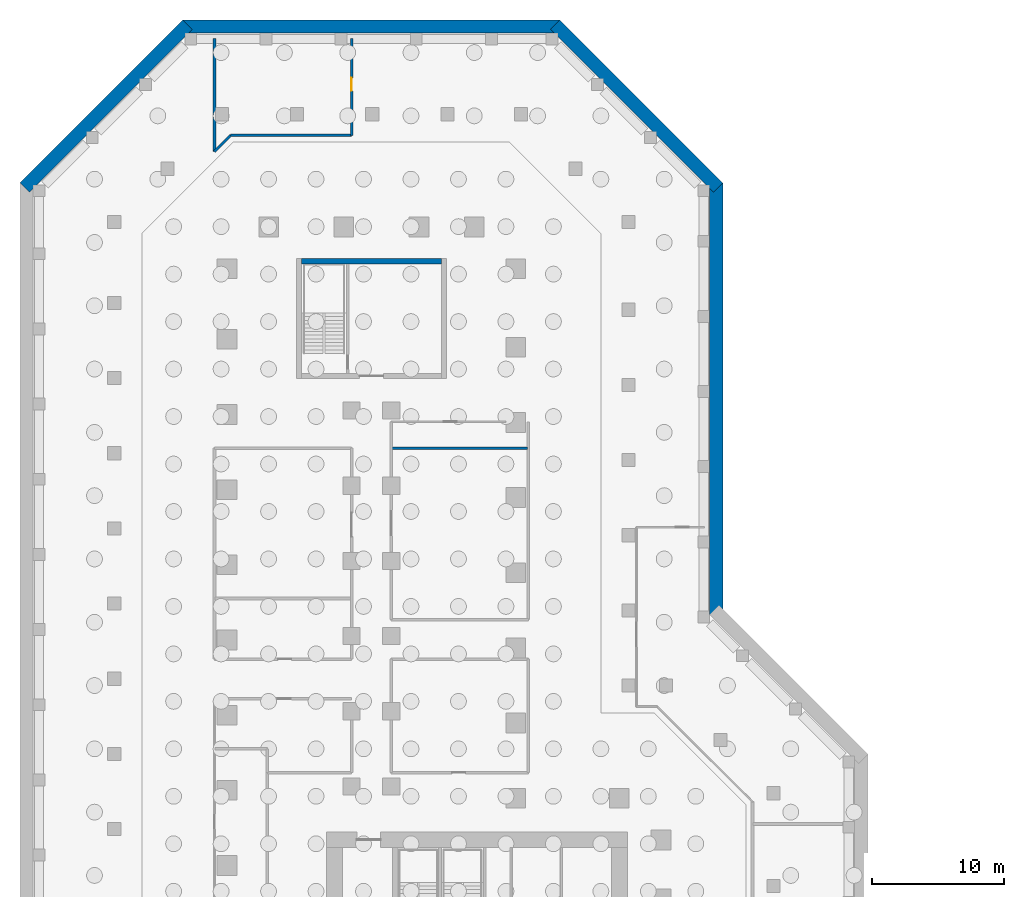
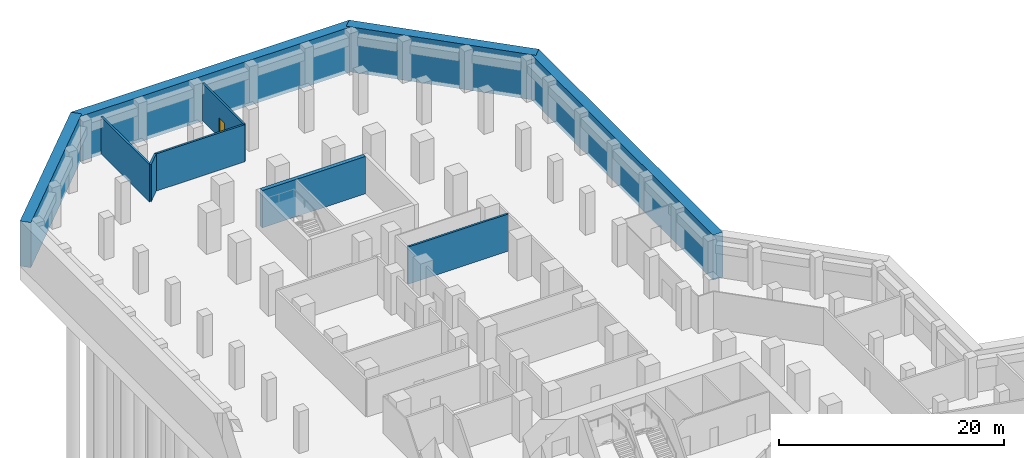
# One storey, part 12 of 15: 10 walls, 1 door, 1 opening.
"""IFC4 building model written with IfcOpenShell, lengths in metres."""

import ifcopenshell
import ifcopenshell.guid

model = None  # the IFC model being written
_history = None  # IfcOwnerHistory: only IFC2X3 demands one
_inside = {}  # id of a spatial element -> (the spatial element, [elements in it])
_under = {}  # id of a project, library or spatial element -> (it, [spatial elements below it])
_declared = {}  # id of a project -> (the project, [libraries it declares])
_typed = {}  # id of a type object -> (the type object, [elements of that type])
_made_of = {}  # id of a material, layer set ... -> (it, [elements and type objects made of it])


def new_model(schema):
    """Start an empty IFC model of exactly this schema.

    Asked for "IFC4X3", IfcOpenShell would pick the latest addendum, in which some entities
    have other attributes; the version numbers below select the first issue.
    IFC2X3 requires an IfcOwnerHistory on every rooted entity: one is made here for all.
    """
    global model, _history
    if schema == "IFC4X3":
        model = ifcopenshell.file(schema_version=(4, 3, 0, 0))
    else:
        model = ifcopenshell.file(schema=schema)
    _inside.clear()
    _under.clear()
    _declared.clear()
    _typed.clear()
    _made_of.clear()
    _history = None
    if model.schema == "IFC2X3":
        org = make("IfcOrganization", Name="unknown")
        user = make(
            "IfcPersonAndOrganization",
            ThePerson=make("IfcPerson", FamilyName="unknown"),
            TheOrganization=org,
        )
        app = make(
            "IfcApplication",
            ApplicationDeveloper=org,
            Version="unknown",
            ApplicationFullName="unknown",
            ApplicationIdentifier="unknown",
        )
        _history = make(
            "IfcOwnerHistory",
            OwningUser=user,
            OwningApplication=app,
            ChangeAction="ADDED",
            CreationDate=0,
        )
    return model


def make(cls, **values):
    """One entity of the class cls with the attributes given. An attribute that is None is left unset."""
    return model.create_entity(
        cls, **{name: value for name, value in values.items() if value is not None}
    )


def rooted(cls, **values):
    """An entity with a GlobalId (a new one), such as an element, a storey or a relation."""
    return make(cls, GlobalId=ifcopenshell.guid.new(), OwnerHistory=_history, **values)


def si_unit(unit_type, name, prefix=None):
    """IfcSIUnit, for example si_unit("LENGTHUNIT", "METRE", prefix="MILLI")."""
    return make("IfcSIUnit", UnitType=unit_type, Prefix=prefix, Name=name)


def assignment(units):
    """IfcUnitAssignment: the units of a project."""
    return None if units is None else make("IfcUnitAssignment", Units=units)


def point(xyz):
    """IfcCartesianPoint."""
    return None if xyz is None else make("IfcCartesianPoint", Coordinates=xyz)


def direction(xyz):
    """IfcDirection."""
    return None if xyz is None else make("IfcDirection", DirectionRatios=xyz)


def frame(location, z_axis=None, x_axis=None):
    """IfcAxis2Placement3D, a coordinate frame: its origin and axes. An axis left out is left unset."""
    return make(
        "IfcAxis2Placement3D",
        Location=point(location),
        Axis=direction(z_axis),
        RefDirection=direction(x_axis),
    )


def frame_2d(location, x_axis=None):
    """IfcAxis2Placement2D, a coordinate frame in the plane: its origin and x axis."""
    return make(
        "IfcAxis2Placement2D", Location=point(location), RefDirection=direction(x_axis)
    )


def origin():
    """The frame at (0, 0, 0) with its axes left unset."""
    return frame((0.0, 0.0, 0.0))


def place(relative_to, where):
    """IfcLocalPlacement: puts the frame where relative to a parent placement (None: the world)."""
    return make(
        "IfcLocalPlacement", PlacementRelTo=relative_to, RelativePlacement=where
    )


def context(
    kind, dimensions, precision=None, world=None, true_north=None, identifier=None
):
    """IfcGeometricRepresentationContext, for example the 3D "Model" context."""
    return make(
        "IfcGeometricRepresentationContext",
        ContextIdentifier=identifier,
        ContextType=kind,
        CoordinateSpaceDimension=dimensions,
        Precision=precision,
        WorldCoordinateSystem=world,
        TrueNorth=true_north,
    )


def subcontext(parent, identifier, kind, view, scale=None):
    """IfcGeometricRepresentationSubContext, for example "Body" below "Model"."""
    return make(
        "IfcGeometricRepresentationSubContext",
        ContextIdentifier=identifier,
        ContextType=kind,
        ParentContext=parent,
        TargetScale=scale,
        TargetView=view,
    )


def project(units=None, contexts=None):
    """IfcProject with its units and contexts."""
    return rooted(
        "IfcProject",
        Name="project",
        RepresentationContexts=contexts,
        UnitsInContext=assignment(units),
    )


def spatial(cls, under=None, at=None, **own):
    """A site, building, storey or space (cls), placed at a placement, below another one or the project."""
    s = rooted(cls, ObjectPlacement=at, **own)
    if under is not None:
        _under.setdefault(under.id(), (under, []))[1].append(s)
    return s


def profile(cls, at=None, kind="AREA", **sizes):
    """A parametric profile (cls). Its sizes go by their IFC names, for example OverallWidth=200.0."""
    return make(cls, ProfileType=kind, Position=at, **sizes)


def rectangle(**sizes):
    """IfcRectangleProfileDef."""
    return profile("IfcRectangleProfileDef", **sizes)


def extrude(swept, where, along, depth):
    """IfcExtrudedAreaSolid: the profile swept, set in the frame where, extruded along a direction by depth."""
    return make(
        "IfcExtrudedAreaSolid",
        SweptArea=swept,
        Position=where,
        ExtrudedDirection=direction(along),
        Depth=depth,
    )


def shape(context_of_items, identifier, shape_type, items):
    """IfcShapeRepresentation: the items that make up one representation, for example the "Body"."""
    return make(
        "IfcShapeRepresentation",
        ContextOfItems=context_of_items,
        RepresentationIdentifier=identifier,
        RepresentationType=shape_type,
        Items=items,
    )


def material(Name=None, Category=None):
    """IfcMaterial."""
    return make("IfcMaterial", Name=Name, Category=Category)


def layer(
    of_material, thickness, ventilated=None, Name=None, Category=None, Priority=None
):
    """IfcMaterialLayer: one layer of a wall or slab, of a material (None: an air gap)."""
    return make(
        "IfcMaterialLayer",
        Material=of_material,
        LayerThickness=thickness,
        IsVentilated=ventilated,
        Name=Name,
        Category=Category,
        Priority=Priority,
    )


def layer_set(layers, Name=None):
    """IfcMaterialLayerSet."""
    return make("IfcMaterialLayerSet", MaterialLayers=layers, LayerSetName=Name)


def made_of(thing, what):
    """Note that an element or type object is made of a material, layer set ...; save() writes the relation."""
    if what is not None:
        _made_of.setdefault(what.id(), (what, []))[1].append(thing)
    return thing


def type_object(cls, material=None, **own):
    """A type object (cls), such as IfcWallType, which elements share."""
    return made_of(rooted(cls, **own), material)


def element(
    cls,
    number,
    at=None,
    inside=None,
    cuts=None,
    type_object=None,
    material=None,
    context=None,
    identifier="Body",
    shape_type=None,
    held_by="IfcProductDefinitionShape",
    body=None,
    shapes=None,
    **own,
):
    """One element of the class cls, such as IfcWall. Its Tag is "e" and its number.

    at: its placement. inside: the storey or other place that contains it. cuts: it is an
    opening in that element (IfcRelVoidsElement). A single representation is given by context,
    identifier, shape_type and body (its items); several are given by shapes. held_by: the class
    of the entity that holds the representations. save() writes the other relations.
    """
    e = rooted(cls, Tag="e%d" % number, ObjectPlacement=at, **own)
    if body is not None:
        shapes = [shape(context, identifier, shape_type, body)]
    if shapes is not None:
        e.Representation = make(held_by, Representations=shapes)
    if inside is not None:
        _inside.setdefault(inside.id(), (inside, []))[1].append(e)
    if cuts is not None:
        rooted(
            "IfcRelVoidsElement", RelatingBuildingElement=cuts, RelatedOpeningElement=e
        )
    if type_object is not None:
        _typed.setdefault(type_object.id(), (type_object, []))[1].append(e)
    return made_of(e, material)


def fill(opening, filler):
    """IfcRelFillsElement: the door or window that sits in an opening."""
    return rooted(
        "IfcRelFillsElement",
        RelatingOpeningElement=opening,
        RelatedBuildingElement=filler,
    )


def aggregate(whole, parts):
    """IfcRelAggregates: a whole, such as a stair, and the parts it consists of."""
    return rooted("IfcRelAggregates", RelatingObject=whole, RelatedObjects=parts)


def save(model, path):
    """Write the relations noted so far, then the file.

    IfcRelAggregates (storeys below a building ...), IfcRelContainedInSpatialStructure (elements
    in a storey), IfcRelDefinesByType, IfcRelAssociatesMaterial and IfcRelDeclares: one each for
    every whole, place, type object, material and project.
    """
    for whole, parts in _under.values():
        aggregate(whole, parts)
    for where, things in _inside.values():
        rooted(
            "IfcRelContainedInSpatialStructure",
            RelatedElements=things,
            RelatingStructure=where,
        )
    for kind, things in _typed.values():
        rooted("IfcRelDefinesByType", RelatedObjects=things, RelatingType=kind)
    for what, things in _made_of.values():
        rooted("IfcRelAssociatesMaterial", RelatedObjects=things, RelatingMaterial=what)
    for by, libraries in _declared.values():
        rooted("IfcRelDeclares", RelatingContext=by, RelatedDefinitions=libraries)
    model.write(path)


model = new_model("IFC4")

# Units and contexts
model_context = context("Model", 3, precision=1e-05, world=origin(), true_north=direction((0.0, 1.0)))
body_context = subcontext(model_context, "Body", "Model", "MODEL_VIEW")
ifc_project = project(units=[si_unit("LENGTHUNIT", "METRE"), si_unit("AREAUNIT", "SQUARE_METRE"), si_unit("VOLUMEUNIT", "CUBIC_METRE"), si_unit("PLANEANGLEUNIT", "RADIAN"), si_unit("MASSUNIT", "GRAM", prefix="KILO")], contexts=[model_context])

# Site, building, storey
site_placement = place(None, origin())
site = spatial("IfcSite", under=ifc_project, at=site_placement, CompositionType="ELEMENT")
building_placement = place(site_placement, origin())
building = spatial("IfcBuilding", under=site, at=building_placement, Name="Meshkara Civic Tower", CompositionType="ELEMENT")
storey_placement = place(building_placement, frame((0.0, 0.0, -9.0)))
storey = spatial("IfcBuildingStorey", under=building, at=storey_placement, Name="B2", CompositionType="ELEMENT", Elevation=-9.0)

# Walls
ifc_material_1 = material(Name="Concrete C50", Category="concrete")
ifc_layer_1 = layer(ifc_material_1, 1.0)
ifc_layer_set_1 = layer_set([ifc_layer_1], Name="Diaphragm wall 1000 C50")
wall_type_1 = type_object("IfcWallType", Name="Diaphragm wall 1000 C50", PredefinedType="SOLIDWALL", material=ifc_layer_set_1)
wall_1_placement = place(storey_placement, frame((37.550048828125, 86.1171875, -0.39990234375), z_axis=(0.0, 0.0, 1.0), x_axis=(0.0, -1.0, 0.0)))
element("IfcWall", 1, at=wall_1_placement, inside=storey, type_object=wall_type_1, Name="Basement perimeter wall", PredefinedType="SOLIDWALL", context=body_context, shape_type="SweptSolid", body=[
    extrude(rectangle(XDim=32.734130859375, YDim=1.0, at=frame_2d((16.3671875, 0.0))), origin(), (0.0, 0.0, 1.0), 4.89990234375),
])
wall_2_placement = place(storey_placement, frame((-14.896484375, 85.763671875, -0.39990234375), z_axis=(0.0, 0.0, 1.0), x_axis=(0.707106781187, 0.707106781187, 0.0)))
element("IfcWall", 2, at=wall_2_placement, inside=storey, type_object=wall_type_1, Name="Basement perimeter wall", PredefinedType="SOLIDWALL", context=body_context, shape_type="SweptSolid", body=[
    extrude(rectangle(XDim=17.469482421875, YDim=1.0, at=frame_2d((8.73486328125, 0.0))), origin(), (0.0, 0.0, 1.0), 4.89990234375),
])
wall_3_placement = place(storey_placement, frame((-2.897216796875, 97.969970703125, -0.39990234375), z_axis=(0.0, 0.0, 1.0), x_axis=(1.0, 0.0, 0.0)))
element("IfcWall", 3, at=wall_3_placement, inside=storey, type_object=wall_type_1, Name="Basement perimeter wall", PredefinedType="SOLIDWALL", context=body_context, shape_type="SweptSolid", body=[
    extrude(rectangle(XDim=28.594482421875, YDim=1.0, at=frame_2d((14.29736328125, 0.0))), origin(), (0.0, 0.0, 1.0), 4.89990234375),
])
wall_4_placement = place(storey_placement, frame((25.34375, 98.116455078125, -0.39990234375), z_axis=(0.0, 0.0, 1.0), x_axis=(0.707099793448, -0.707113768857, 0.0)))
element("IfcWall", 4, at=wall_4_placement, inside=storey, type_object=wall_type_1, Name="Basement perimeter wall", PredefinedType="SOLIDWALL", context=body_context, shape_type="SweptSolid", body=[
    extrude(rectangle(XDim=17.46923828125, YDim=1.0, at=frame_2d((8.734619140625, 0.0))), origin(), (0.0, 0.0, 1.0), 4.89990234375),
])
ifc_material_2 = material(Name="Concrete C80", Category="concrete")
ifc_layer_2 = layer(ifc_material_2, 0.39990234375)
ifc_layer_set_2 = layer_set([ifc_layer_2], Name="End core ring wall 400 C80")
wall_type_2 = type_object("IfcWallType", Name="End core ring wall 400 C80", PredefinedType="SHEAR", material=ifc_layer_set_2)
wall_5_placement = place(storey_placement, frame((6.10009765625, 80.169921875, 0.0), z_axis=(0.0, 0.0, 1.0), x_axis=(1.0, 0.0, 0.0)))
element("IfcWall", 5, at=wall_5_placement, inside=storey, type_object=wall_type_2, Name="B2-C029", PredefinedType="SHEAR", context=body_context, shape_type="SweptSolid", body=[
    extrude(rectangle(XDim=10.599853515625, YDim=0.39990234375, at=frame_2d((5.2998046875, 0.0))), origin(), (0.0, 0.0, 1.0), 4.050048828125),
])
ifc_material_3 = material(Name="Fire-rated wall 200")
ifc_layer_3 = layer(ifc_material_3, 0.199951171875)
ifc_layer_set_3 = layer_set([ifc_layer_3], Name="Fire-rated wall 200")
wall_type_3 = type_object("IfcWallType", Name="Fire-rated wall 200", PredefinedType="PARTITIONING", material=ifc_layer_set_3)
wall_6_placement = place(storey_placement, frame((-0.5, 88.491943359375, 0.0), z_axis=(0.0, 0.0, 1.0), x_axis=(0.0, 1.0, 0.0)))
element("IfcWall", 6, at=wall_6_placement, inside=storey, type_object=wall_type_3, Name="B2-R008", PredefinedType="PARTITIONING", context=body_context, shape_type="SweptSolid", body=[
    extrude(rectangle(XDim=8.578125, YDim=0.199951171875, at=frame_2d((4.2890625, 0.0))), origin(), (0.0, 0.0, 1.0), 4.050048828125),
])
wall_7_placement = place(storey_placement, frame((0.72802734375, 89.719970703125, 0.0), z_axis=(0.0, 0.0, 1.0), x_axis=(-0.707106781187, -0.707106781187, 0.0)))
element("IfcWall", 7, at=wall_7_placement, inside=storey, type_object=wall_type_3, Name="B2-R009", PredefinedType="PARTITIONING", context=body_context, shape_type="SweptSolid", body=[
    extrude(rectangle(XDim=1.736572265625, YDim=0.199951171875, at=frame_2d((0.8681640625, 0.0))), origin(), (0.0, 0.0, 1.0), 4.050048828125),
])
wall_8_placement = place(storey_placement, frame((9.89990234375, 89.719970703125, 0.0), z_axis=(0.0, 0.0, 1.0), x_axis=(-1.0, 0.0, 0.0)))
element("IfcWall", 8, at=wall_8_placement, inside=storey, type_object=wall_type_3, Name="B2-R024", PredefinedType="PARTITIONING", context=body_context, shape_type="SweptSolid", body=[
    extrude(rectangle(XDim=9.171875, YDim=0.199951171875, at=frame_2d((4.5859375, 0.0))), origin(), (0.0, 0.0, 1.0), 4.050048828125),
])

# Wall, opening, door
wall_9_placement = place(storey_placement, frame((9.89990234375, 97.070068359375, 0.0), z_axis=(0.0, 0.0, 1.0), x_axis=(0.0, -1.0, 0.0)))
wall_9 = element("IfcWall", 9, at=wall_9_placement, inside=storey, type_object=wall_type_3, Name="B2-R025", PredefinedType="PARTITIONING", context=body_context, shape_type="SweptSolid", body=[
    extrude(rectangle(XDim=7.35009765625, YDim=0.199951171875, at=frame_2d((3.675048828125, 0.0))), origin(), (0.0, 0.0, 1.0), 4.050048828125),
])
opening_placement = place(wall_9_placement, frame((2.97998046875, 0.0, 0.0)))
opening = element("IfcOpeningElement", 10, at=opening_placement, cuts=wall_9, Name="Opening B2-P029", PredefinedType="OPENING", context=body_context, shape_type="SweptSolid", body=[
    extrude(rectangle(XDim=1.0, YDim=2.10009765625, at=frame_2d((0.5, 1.050048828125))), frame((0.0, 0.10986328125, 0.0), z_axis=(0.0, -1.0, 0.0), x_axis=(1.0, 0.0, 0.0)), (0.0, 0.0, 1.0), 0.219970703125),
])
ifc_material_4 = material(Name="Door 1000 x 2100")
door_type = type_object("IfcDoorType", Name="Door 1000 x 2100", OperationType="SINGLE_SWING_LEFT", PredefinedType="DOOR", material=ifc_material_4)
door_placement = place(opening_placement, origin())
door = element("IfcDoor", 11, at=door_placement, inside=storey, type_object=door_type, Name="B2-P029", OperationType="SINGLE_SWING_RIGHT", OverallHeight=2.10009765625, OverallWidth=1.0, PredefinedType="DOOR", context=body_context, shape_type="SweptSolid", body=[
    extrude(rectangle(XDim=1.0, YDim=2.10009765625, at=frame_2d((0.5, 1.050048828125))), frame((0.0, 0.02490234375, 0.0), z_axis=(0.0, -1.0, 0.0), x_axis=(1.0, 0.0, 0.0)), (0.0, 0.0, 1.0), 0.050048828125),
])
fill(opening, door)

# Wall
wall_10_placement = place(storey_placement, frame((23.25, 66.0, 0.0), z_axis=(0.0, 0.0, 1.0), x_axis=(-1.0, 0.0, 0.0)))
element("IfcWall", 12, at=wall_10_placement, inside=storey, type_object=wall_type_3, Name="B2-R081", PredefinedType="PARTITIONING", context=body_context, shape_type="SweptSolid", body=[
    extrude(rectangle(XDim=10.300048828125, YDim=0.199951171875, at=frame_2d((5.14990234375, 0.0))), origin(), (0.0, 0.0, 1.0), 4.050048828125),
])

save(model, "model.ifc")
